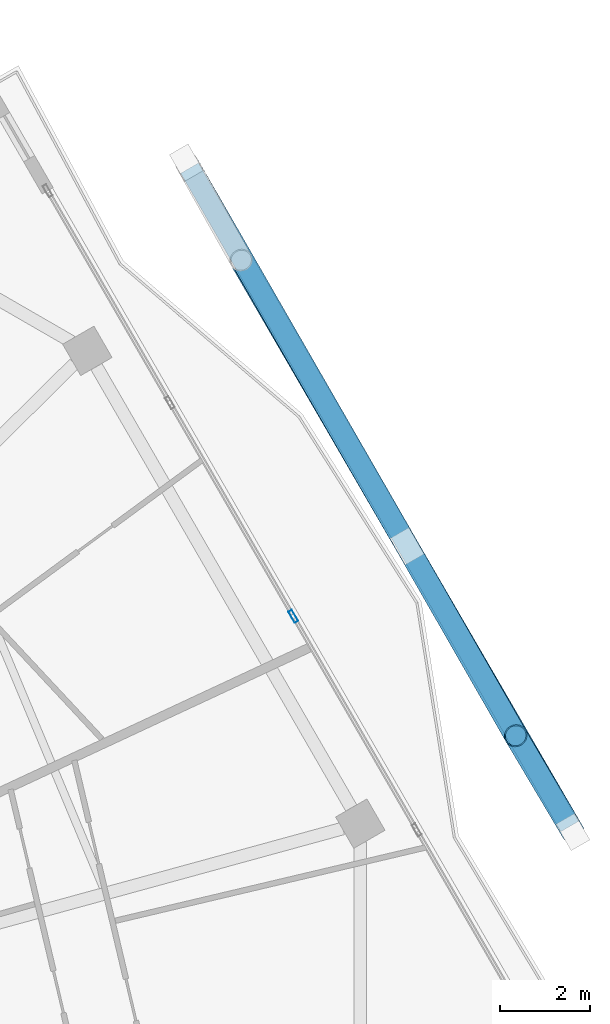
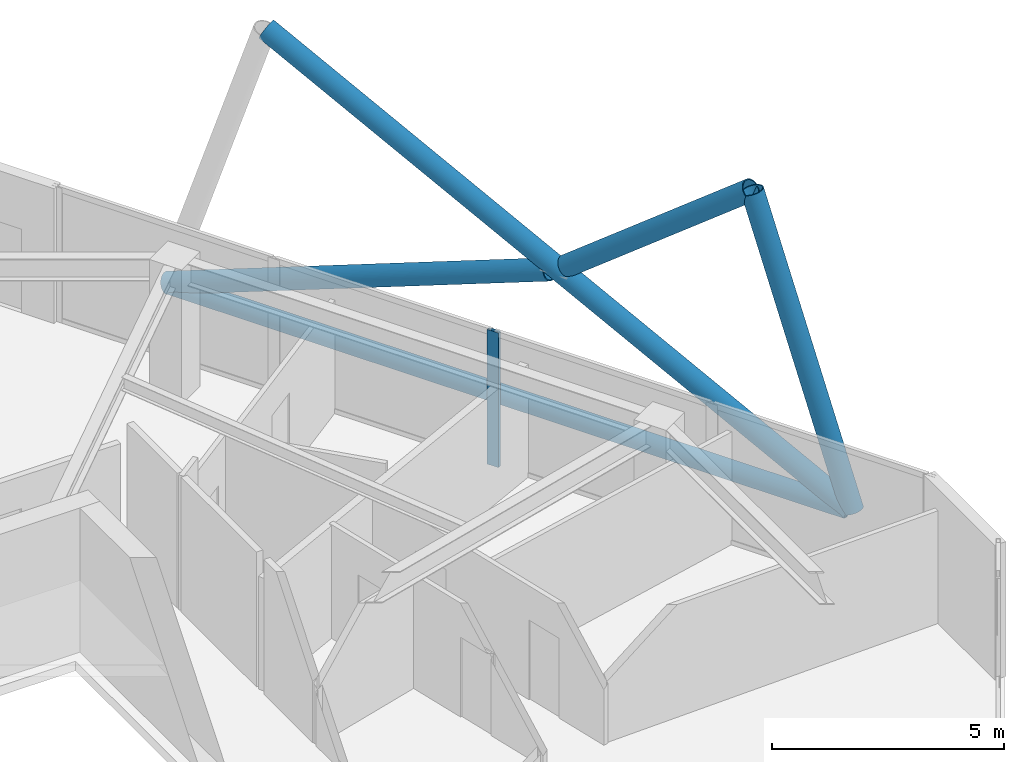
# One storey, part 13 of 23: 6 members, 1 element without a shape of its own.
"""IFC4 building model written with IfcOpenShell, lengths in metres."""

from ifc_helpers import new_model, si_unit, direction, frame, origin, origin_2d, place, context, subcontext, project, spatial, hollow_rectangle, hollow_circle, extrude, material, material_profile, profile_set, type_object, element, aggregate, save


model = new_model("IFC4")

# Units and contexts
model_context = context("Model", 3, precision=1e-05, world=origin(), true_north=direction((0.0, 1.0)))
body_context = subcontext(model_context, "Body", "Model", "MODEL_VIEW")
ifc_project = project(units=[si_unit("LENGTHUNIT", "METRE"), si_unit("AREAUNIT", "SQUARE_METRE"), si_unit("VOLUMEUNIT", "CUBIC_METRE"), si_unit("PLANEANGLEUNIT", "RADIAN"), si_unit("MASSUNIT", "GRAM", prefix="KILO")], contexts=[model_context])

# Site, building, storey
site_placement = place(None, origin())
site = spatial("IfcSite", under=ifc_project, at=site_placement, CompositionType="ELEMENT")
building_placement = place(site_placement, origin())
building = spatial("IfcBuilding", under=site, at=building_placement, Name="Zuhravey Tower", CompositionType="ELEMENT")
storey_placement = place(building_placement, frame((0.0, 0.0, 331.0)))
storey = spatial("IfcBuildingStorey", under=building, at=storey_placement, Name="L84", CompositionType="ELEMENT", Elevation=331.0)

# Curtain wall, member
ifc_material_1 = material(Name="Thermally broken anodised aluminium", Category="aluminium")
curtain_wall_type = type_object("IfcCurtainWallType", Name="Zone 3-4 High-Rise Curtain Wall CW4", PredefinedType="NOTDEFINED", material=ifc_material_1)
curtain_wall_placement = place(storey_placement, origin())
curtain_wall = element("IfcCurtainWall", 1, at=curtain_wall_placement, inside=storey, type_object=curtain_wall_type, Name="L84 CW4 CW-L84-F1-1", PredefinedType="NOTDEFINED")
ifc_material_2 = material(Name="Anodised aluminium", Category="aluminium")
ifc_material_profile_1 = material_profile(ifc_material_2, hollow_rectangle(XDim=0.090087890625, YDim=0.284912109375, WallThickness=0.0048828125, at=origin_2d()), Name="ALU-RHS-90x285x5")
ifc_profile_set_1 = profile_set([ifc_material_profile_1], Name="Anodised aluminium")
member_type_1 = type_object("IfcMemberType", Name="Curtain-Wall Mullion 90x180", PredefinedType="MULLION", material=ifc_profile_set_1)
member_1_placement = place(storey_placement, frame((57.510986328125, 42.889892578125, 0.0), z_axis=(0.0, 0.0, 1.0), x_axis=(0.866024394206, 0.500001748638, 0.0)))
member_1 = element("IfcMember", 2, at=member_1_placement, type_object=member_type_1, Name="CW4 mullion 3", PredefinedType="MULLION", context=body_context, shape_type="SweptSolid", body=[
    extrude(hollow_rectangle(XDim=0.090087890625, YDim=0.284912109375, WallThickness=0.0048828125, at=origin_2d()), origin(), (0.0, 0.0, 1.0), 3.550048828125),
])
aggregate(curtain_wall, [member_1])

# Members
ifc_material_3 = material(Name="Steel SM355", Category="steel")
ifc_material_profile_2 = material_profile(ifc_material_3, hollow_circle(Radius=0.228515625, WallThickness=0.02197265625, at=origin_2d()), Name="CHS-457.2x22")
ifc_profile_set_2 = profile_set([ifc_material_profile_2], Name="Steel SM355")
member_type_2 = type_object("IfcMemberType", Name="Exoskeleton Ring Tie CHS457x22", PredefinedType="CHORD", material=ifc_profile_set_2)
member_2_placement = place(storey_placement, frame((63.62548828125, 38.2392578125, -0.464111328125), z_axis=(-0.499996794797, 0.866027254301, 0.0), x_axis=(-0.866027254301, -0.499996794797, 0.0)))
element("IfcMember", 3, at=member_2_placement, inside=storey, type_object=member_type_2, Name="L84 Exoskeleton Face 1 Tie EXR1", PredefinedType="CHORD", context=body_context, shape_type="SweptSolid", body=[
    extrude(hollow_circle(Radius=0.228515625, WallThickness=0.02197265625, at=origin_2d()), origin(), (0.0, 0.0, 1.0), 16.81884765625),
])
ifc_material_profile_3 = material_profile(ifc_material_3, hollow_circle(Radius=0.25390625, WallThickness=0.02490234375, at=origin_2d()), Name="CHS-508.0x25")
ifc_profile_set_3 = profile_set([ifc_material_profile_3], Name="Steel SM355")
member_type_3 = type_object("IfcMemberType", Name="Exoskeleton Zone 4 Diagrid CHS508x25", PredefinedType="BRACE", material=ifc_profile_set_3)
member_3_placement = place(storey_placement, frame((63.69287109375, 38.12255859375, -0.447998046875), z_axis=(-0.158476866011, 0.26696973597, 0.950585210812), x_axis=(-0.859906229108, -0.510452032165, 0.0)))
element("IfcMember", 4, at=member_3_placement, inside=storey, type_object=member_type_3, Name="L84 Face 1 Diagrid Brace 1", PredefinedType="BRACE", context=body_context, shape_type="SweptSolid", body=[
    extrude(hollow_circle(Radius=0.25390625, WallThickness=0.02490234375, at=origin_2d()), origin(), (0.0, 0.0, 1.0), 7.96142578125),
])
member_4_placement = place(storey_placement, frame((63.68017578125, 38.14453125, -0.447998046875), z_axis=(-0.445201742025, 0.767450656378, 0.46131865226), x_axis=(-0.864991876866, -0.501785863648, 0.0)))
element("IfcMember", 5, at=member_4_placement, inside=storey, type_object=member_type_3, Name="L84 Face 1 Diagrid Brace 2", PredefinedType="BRACE", context=body_context, shape_type="SweptSolid", body=[
    extrude(hollow_circle(Radius=0.25390625, WallThickness=0.02490234375, at=origin_2d()), origin(), (0.0, 0.0, 1.0), 16.405517578125),
])
member_5_placement = place(storey_placement, frame((55.162109375, 52.89794921875, -0.451416015625), z_axis=(0.464905729815, -0.808044749319, 0.361837457271), x_axis=(0.866776483954, 0.498696828608, 0.0)))
element("IfcMember", 6, at=member_5_placement, inside=storey, type_object=member_type_3, Name="L84 Face 1 Split Diagrid Brace 3A", PredefinedType="BRACE", context=body_context, shape_type="SweptSolid", body=[
    extrude(hollow_circle(Radius=0.25390625, WallThickness=0.02490234375, at=origin_2d()), origin(), (0.0, 0.0, 1.0), 10.223388671875),
])
member_6_placement = place(storey_placement, frame((60.123779296875, 44.2734375, 3.487060546875), z_axis=(0.390731945093, -0.681667995419, 0.618592993094), x_axis=(0.867580420924, 0.497296906515, 0.0)))
element("IfcMember", 7, at=member_6_placement, inside=storey, type_object=member_type_3, Name="L84 Face 1 Split Diagrid Brace 3B", PredefinedType="BRACE", context=body_context, shape_type="SweptSolid", body=[
    extrude(hollow_circle(Radius=0.25390625, WallThickness=0.02490234375, at=origin_2d()), origin(), (0.0, 0.0, 1.0), 5.864013671875),
])

save(model, "model.ifc")
